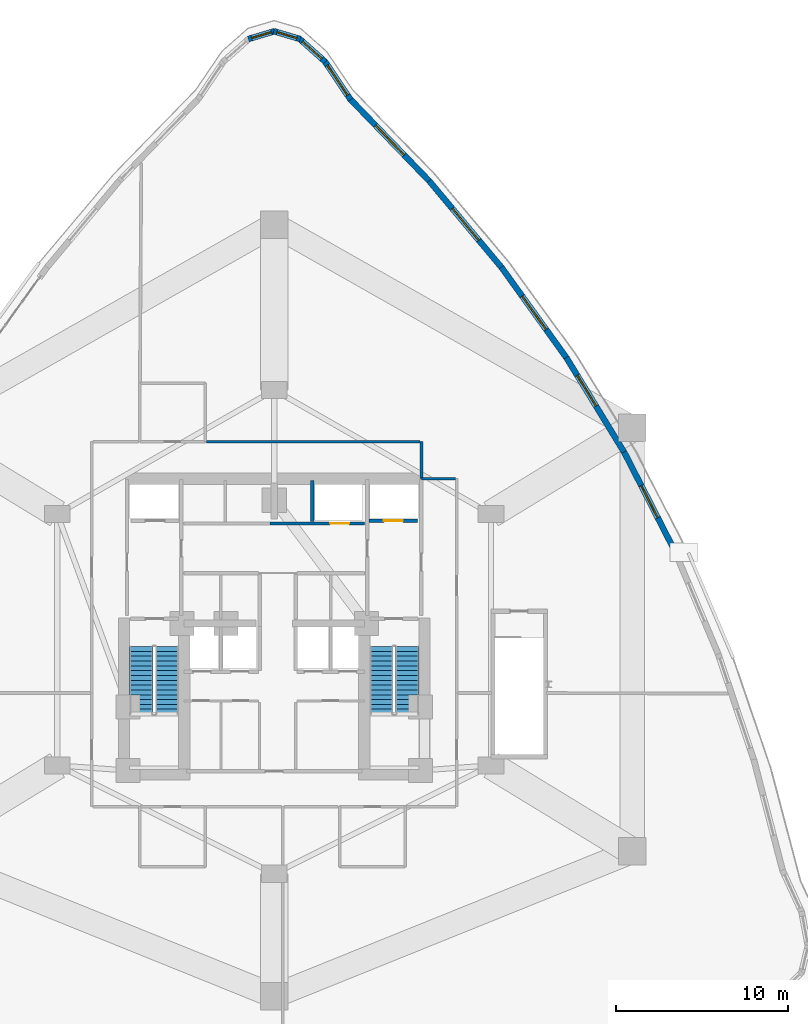
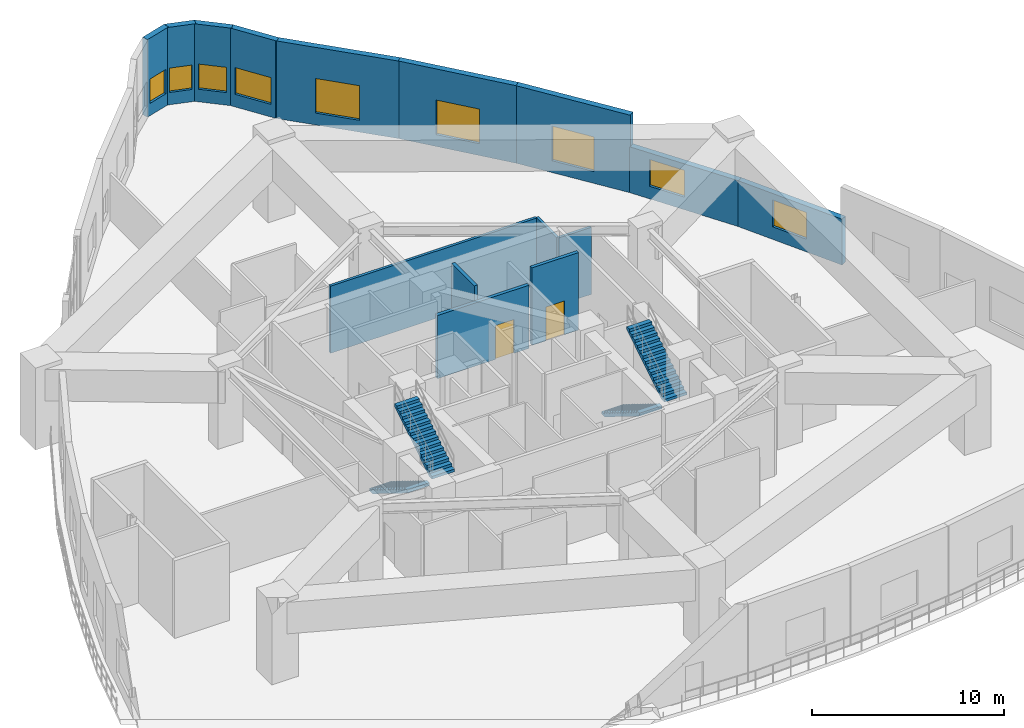
# One storey, part 15 of 19: 15 walls, 9 windows, 4 stair flights, 2 doors, 11 openings, 2 elements without a shape of their own.
"""IFC4 building model written with IfcOpenShell, lengths in metres."""

from ifc_helpers import new_model, si_unit, direction, frame, frame_2d, origin, place, context, subcontext, project, spatial, polyline, rectangle, outline, extrude, material, layer, layer_set, type_object, element, fill, aggregate, save


model = new_model("IFC4")

# Units and contexts
model_context = context("Model", 3, precision=1e-05, world=origin(), true_north=direction((0.0, 1.0)))
body_context = subcontext(model_context, "Body", "Model", "MODEL_VIEW")
ifc_project = project(units=[si_unit("LENGTHUNIT", "METRE"), si_unit("AREAUNIT", "SQUARE_METRE"), si_unit("VOLUMEUNIT", "CUBIC_METRE"), si_unit("PLANEANGLEUNIT", "RADIAN"), si_unit("MASSUNIT", "GRAM", prefix="KILO")], contexts=[model_context])

# Site, building, storey
site_placement = place(None, origin())
site = spatial("IfcSite", under=ifc_project, at=site_placement, CompositionType="ELEMENT")
building_placement = place(site_placement, origin())
building = spatial("IfcBuilding", under=site, at=building_placement, Name="Miruveldt Soraemaru", CompositionType="ELEMENT")
storey_placement = place(building_placement, frame((0.0, 0.0, 24.0)))
storey = spatial("IfcBuildingStorey", under=building, at=storey_placement, Name="L06", CompositionType="ELEMENT", Elevation=24.0)

# Wall, opening, window
ifc_material_1 = material(Name="Precast concrete C45/55 (45 MPa)", Category="concrete")
ifc_layer_1 = layer(ifc_material_1, 0.340087890625, Name="Precast concrete C45/55 (45 MPa)", Category="concrete")
ifc_layer_set_1 = layer_set([ifc_layer_1], Name="Precast concrete C45/55 (45 MPa)")
wall_type_1 = type_object("IfcWallType", Name="WALL-EXT-PC340", PredefinedType="SOLIDWALL", material=ifc_layer_set_1)
wall_1_placement = place(storey_placement, frame((48.432861328125, 74.4736328125, 0.0), z_axis=(0.0, 0.0, 1.0), x_axis=(-0.55815184542, 0.829738824844, 0.0)))
wall_1 = element("IfcWall", 1, at=wall_1_placement, inside=storey, type_object=wall_type_1, Name="L06 Precast Concrete Facade Wall 1", PredefinedType="SOLIDWALL", context=body_context, shape_type="SweptSolid", body=[
    extrude(rectangle(XDim=2.705810546875, YDim=0.340087890625, at=frame_2d((1.35302734375, 0.0))), origin(), (0.0, 0.0, 1.0), 4.925048828125),
])
opening_1_placement = place(wall_1_placement, frame((0.302978515625, 0.0, 0.800048828125)))
opening_1 = element("IfcOpeningElement", 2, at=opening_1_placement, cuts=wall_1, Name="Opening WN-1", PredefinedType="OPENING", context=body_context, shape_type="SweptSolid", body=[
    extrude(rectangle(XDim=2.10009765625, YDim=1.699951171875, at=frame_2d((1.050048828125, 0.85009765625))), frame((0.0, 0.18017578125, 0.0), z_axis=(0.0, -1.0, 0.0), x_axis=(1.0, 0.0, 0.0)), (0.0, 0.0, 1.0), 0.360107421875),
])
ifc_material_2 = material(Name="Triple low-e insulated glazing", Category="glass")
window_type_1 = type_object("IfcWindowType", Name="WIN-PUNCH-2100x1700", PartitioningType="SINGLE_PANEL", PredefinedType="WINDOW", material=ifc_material_2)
window_1_placement = place(opening_1_placement, origin())
window_1 = element("IfcWindow", 3, at=window_1_placement, inside=storey, type_object=window_type_1, Name="L06 Punched Triple-Glazed Window 01.1", OverallHeight=1.699951171875, OverallWidth=2.10009765625, PartitioningType="SINGLE_PANEL", PredefinedType="WINDOW", context=body_context, shape_type="SweptSolid", body=[
    extrude(rectangle(XDim=2.10009765625, YDim=1.699951171875, at=frame_2d((1.050048828125, 0.85009765625))), frame((0.0, 0.030029296875, 0.0), z_axis=(0.0, -1.0, 0.0), x_axis=(1.0, 0.0, 0.0)), (0.0, 0.0, 1.0), 0.06005859375),
])
fill(opening_1, window_1)

wall_2_placement = place(storey_placement, frame((46.96826171875, 76.66650390625, 0.0), z_axis=(0.0, 0.0, 1.0), x_axis=(-0.746266528061, 0.665647255756, 0.0)))
wall_2 = element("IfcWall", 4, at=wall_2_placement, inside=storey, type_object=wall_type_1, Name="L06 Precast Concrete Facade Wall 2", PredefinedType="SOLIDWALL", context=body_context, shape_type="SweptSolid", body=[
    extrude(rectangle(XDim=2.041015625, YDim=0.340087890625, at=frame_2d((1.0205078125, 0.0))), origin(), (0.0, 0.0, 1.0), 4.925048828125),
])
opening_2_placement = place(wall_2_placement, frame((0.27001953125, 0.0, 0.800048828125)))
opening_2 = element("IfcOpeningElement", 5, at=opening_2_placement, cuts=wall_2, Name="Opening WN-3", PredefinedType="OPENING", context=body_context, shape_type="SweptSolid", body=[
    extrude(rectangle(XDim=1.5, YDim=1.60009765625, at=frame_2d((0.75, 0.800048828125))), frame((0.0, 0.18017578125, 0.0), z_axis=(0.0, -1.0, 0.0), x_axis=(1.0, 0.0, 0.0)), (0.0, 0.0, 1.0), 0.360107421875),
])
window_type_2 = type_object("IfcWindowType", Name="WIN-PUNCH-1500x1600", PartitioningType="SINGLE_PANEL", PredefinedType="WINDOW", material=ifc_material_2)
window_2_placement = place(opening_2_placement, origin())
window_2 = element("IfcWindow", 6, at=window_2_placement, inside=storey, type_object=window_type_2, Name="L06 Punched Triple-Glazed Window 02.1", OverallHeight=1.60009765625, OverallWidth=1.5, PartitioningType="SINGLE_PANEL", PredefinedType="WINDOW", context=body_context, shape_type="SweptSolid", body=[
    extrude(rectangle(XDim=1.5, YDim=1.60009765625, at=frame_2d((0.75, 0.800048828125))), frame((0.0, 0.030029296875, 0.0), z_axis=(0.0, -1.0, 0.0), x_axis=(1.0, 0.0, 0.0)), (0.0, 0.0, 1.0), 0.06005859375),
])
fill(opening_2, window_2)

wall_3_placement = place(storey_placement, frame((45.504638671875, 77.991943359375, 0.0), z_axis=(0.0, 0.0, 1.0), x_axis=(-0.958535233028, 0.284974046264, 0.0)))
wall_3 = element("IfcWall", 7, at=wall_3_placement, inside=storey, type_object=wall_type_1, Name="L06 Precast Concrete Facade Wall 3", PredefinedType="SOLIDWALL", context=body_context, shape_type="SweptSolid", body=[
    extrude(rectangle(XDim=1.604736328125, YDim=0.340087890625, at=frame_2d((0.80224609375, 0.0))), origin(), (0.0, 0.0, 1.0), 4.925048828125),
])
opening_3_placement = place(wall_3_placement, frame((0.202880859375, 0.0, 0.780029296875)))
opening_3 = element("IfcOpeningElement", 8, at=opening_3_placement, cuts=wall_3, Name="Opening WN-4", PredefinedType="OPENING", context=body_context, shape_type="SweptSolid", body=[
    extrude(rectangle(XDim=1.199951171875, YDim=1.550048828125, at=frame_2d((0.60009765625, 0.77490234375))), frame((0.0, 0.18017578125, 0.0), z_axis=(0.0, -1.0, 0.0), x_axis=(1.0, 0.0, 0.0)), (0.0, 0.0, 1.0), 0.360107421875),
])
window_type_3 = type_object("IfcWindowType", Name="WIN-PUNCH-1200x1550", PartitioningType="SINGLE_PANEL", PredefinedType="WINDOW", material=ifc_material_2)
window_3_placement = place(opening_3_placement, origin())
window_3 = element("IfcWindow", 9, at=window_3_placement, inside=storey, type_object=window_type_3, Name="L06 Punched Triple-Glazed Window 03.1", OverallHeight=1.550048828125, OverallWidth=1.199951171875, PartitioningType="SINGLE_PANEL", PredefinedType="WINDOW", context=body_context, shape_type="SweptSolid", body=[
    extrude(rectangle(XDim=1.199951171875, YDim=1.550048828125, at=frame_2d((0.60009765625, 0.77490234375))), frame((0.0, 0.030029296875, 0.0), z_axis=(0.0, -1.0, 0.0), x_axis=(1.0, 0.0, 0.0)), (0.0, 0.0, 1.0), 0.06005859375),
])
fill(opening_3, window_3)

wall_4_placement = place(storey_placement, frame((44.033447265625, 78.44921875, 0.0), z_axis=(0.0, 0.0, 1.0), x_axis=(-0.958535233028, -0.284974046264, 0.0)))
wall_4 = element("IfcWall", 10, at=wall_4_placement, inside=storey, type_object=wall_type_1, Name="L06 Precast Concrete Facade Wall 4", PredefinedType="SOLIDWALL", context=body_context, shape_type="SweptSolid", body=[
    extrude(rectangle(XDim=1.604736328125, YDim=0.340087890625, at=frame_2d((0.80224609375, 0.0))), origin(), (0.0, 0.0, 1.0), 4.925048828125),
])
opening_4_placement = place(wall_4_placement, frame((0.202880859375, 0.0, 0.780029296875)))
opening_4 = element("IfcOpeningElement", 11, at=opening_4_placement, cuts=wall_4, Name="Opening WN-4", PredefinedType="OPENING", context=body_context, shape_type="SweptSolid", body=[
    extrude(rectangle(XDim=1.199951171875, YDim=1.550048828125, at=frame_2d((0.60009765625, 0.77490234375))), frame((0.0, 0.18017578125, 0.0), z_axis=(0.0, -1.0, 0.0), x_axis=(1.0, 0.0, 0.0)), (0.0, 0.0, 1.0), 0.360107421875),
])
window_4_placement = place(opening_4_placement, origin())
window_4 = element("IfcWindow", 12, at=window_4_placement, inside=storey, type_object=window_type_3, Name="L06 Punched Triple-Glazed Window 04.1", OverallHeight=1.550048828125, OverallWidth=1.199951171875, PartitioningType="SINGLE_PANEL", PredefinedType="WINDOW", context=body_context, shape_type="SweptSolid", body=[
    extrude(rectangle(XDim=1.199951171875, YDim=1.550048828125, at=frame_2d((0.60009765625, 0.77490234375))), frame((0.0, 0.030029296875, 0.0), z_axis=(0.0, -1.0, 0.0), x_axis=(1.0, 0.0, 0.0)), (0.0, 0.0, 1.0), 0.06005859375),
])
fill(opening_4, window_4)

wall_5_placement = place(storey_placement, frame((67.281494140625, 48.22705078125, 0.0), z_axis=(0.0, 0.0, 1.0), x_axis=(-0.455940488826, 0.89001026435, 0.0)))
wall_5 = element("IfcWall", 13, at=wall_5_placement, inside=storey, type_object=wall_type_1, Name="L06 Precast Concrete Facade Wall 38", PredefinedType="SOLIDWALL", context=body_context, shape_type="SweptSolid", body=[
    extrude(rectangle(XDim=6.496826171875, YDim=0.340087890625, at=frame_2d((3.24853515625, 0.0))), origin(), (0.0, 0.0, 1.0), 2.9130859375),
])
opening_5_placement = place(wall_5_placement, frame((2.198974609375, 0.0, 0.800048828125)))
opening_5 = element("IfcOpeningElement", 14, at=opening_5_placement, cuts=wall_5, Name="Opening WN-1", PredefinedType="OPENING", context=body_context, shape_type="SweptSolid", body=[
    extrude(rectangle(XDim=2.10009765625, YDim=1.699951171875, at=frame_2d((1.050048828125, 0.85009765625))), frame((0.0, 0.18017578125, 0.0), z_axis=(0.0, -1.0, 0.0), x_axis=(1.0, 0.0, 0.0)), (0.0, 0.0, 1.0), 0.360107421875),
])
window_5_placement = place(opening_5_placement, origin())
window_5 = element("IfcWindow", 15, at=window_5_placement, inside=storey, type_object=window_type_1, Name="L06 Punched Triple-Glazed Window 38.1", OverallHeight=1.699951171875, OverallWidth=2.10009765625, PartitioningType="SINGLE_PANEL", PredefinedType="WINDOW", context=body_context, shape_type="SweptSolid", body=[
    extrude(rectangle(XDim=2.10009765625, YDim=1.699951171875, at=frame_2d((1.050048828125, 0.85009765625))), frame((0.0, 0.030029296875, 0.0), z_axis=(0.0, -1.0, 0.0), x_axis=(1.0, 0.0, 0.0)), (0.0, 0.0, 1.0), 0.06005859375),
])
fill(opening_5, window_5)

wall_6_placement = place(storey_placement, frame((64.353515625, 53.9482421875, 0.0), z_axis=(0.0, 0.0, 1.0), x_axis=(-0.52129343632, 0.853377497506, 0.0)))
wall_6 = element("IfcWall", 16, at=wall_6_placement, inside=storey, type_object=wall_type_1, Name="L06 Precast Concrete Facade Wall 39", PredefinedType="SOLIDWALL", context=body_context, shape_type="SweptSolid", body=[
    extrude(rectangle(XDim=6.496826171875, YDim=0.340087890625, at=frame_2d((3.24853515625, 0.0))), origin(), (0.0, 0.0, 1.0), 2.9130859375),
])
opening_6_placement = place(wall_6_placement, frame((3.18701171875, 0.0, 0.800048828125)))
opening_6 = element("IfcOpeningElement", 17, at=opening_6_placement, cuts=wall_6, Name="Opening WN-1", PredefinedType="OPENING", context=body_context, shape_type="SweptSolid", body=[
    extrude(rectangle(XDim=2.10009765625, YDim=1.699951171875, at=frame_2d((1.050048828125, 0.85009765625))), frame((0.0, 0.18017578125, 0.0), z_axis=(0.0, -1.0, 0.0), x_axis=(1.0, 0.0, 0.0)), (0.0, 0.0, 1.0), 0.360107421875),
])
window_6_placement = place(opening_6_placement, origin())
window_6 = element("IfcWindow", 18, at=window_6_placement, inside=storey, type_object=window_type_1, Name="L06 Punched Triple-Glazed Window 39.1", OverallHeight=1.699951171875, OverallWidth=2.10009765625, PartitioningType="SINGLE_PANEL", PredefinedType="WINDOW", context=body_context, shape_type="SweptSolid", body=[
    extrude(rectangle(XDim=2.10009765625, YDim=1.699951171875, at=frame_2d((1.050048828125, 0.85009765625))), frame((0.0, 0.030029296875, 0.0), z_axis=(0.0, -1.0, 0.0), x_axis=(1.0, 0.0, 0.0)), (0.0, 0.0, 1.0), 0.06005859375),
])
fill(opening_6, window_6)

wall_7_placement = place(storey_placement, frame((61.005615234375, 59.43408203125, 0.0), z_axis=(0.0, 0.0, 1.0), x_axis=(-0.583417328657, 0.812172531315, 0.0)))
wall_7 = element("IfcWall", 19, at=wall_7_placement, inside=storey, type_object=wall_type_1, Name="L06 Precast Concrete Facade Wall 40", PredefinedType="SOLIDWALL", context=body_context, shape_type="SweptSolid", body=[
    extrude(rectangle(XDim=6.53271484375, YDim=0.340087890625, at=frame_2d((3.266357421875, 0.0))), origin(), (0.0, 0.0, 1.0), 4.925048828125),
])
opening_7_placement = place(wall_7_placement, frame((2.06591796875, 0.0, 0.75)))
opening_7 = element("IfcOpeningElement", 20, at=opening_7_placement, cuts=wall_7, Name="Opening WN-5", PredefinedType="OPENING", context=body_context, shape_type="SweptSolid", body=[
    extrude(rectangle(XDim=2.39990234375, YDim=2.199951171875, at=frame_2d((1.199951171875, 1.10009765625))), frame((0.0, 0.18017578125, 0.0), z_axis=(0.0, -1.0, 0.0), x_axis=(1.0, 0.0, 0.0)), (0.0, 0.0, 1.0), 0.360107421875),
])
window_type_4 = type_object("IfcWindowType", Name="WIN-PODM-2400x2200", PartitioningType="SINGLE_PANEL", PredefinedType="WINDOW", material=ifc_material_2)
window_7_placement = place(opening_7_placement, origin())
window_7 = element("IfcWindow", 21, at=window_7_placement, inside=storey, type_object=window_type_4, Name="L06 Punched Triple-Glazed Window 40.1", OverallHeight=2.199951171875, OverallWidth=2.39990234375, PartitioningType="SINGLE_PANEL", PredefinedType="WINDOW", context=body_context, shape_type="SweptSolid", body=[
    extrude(rectangle(XDim=2.39990234375, YDim=2.199951171875, at=frame_2d((1.199951171875, 1.10009765625))), frame((0.0, 0.030029296875, 0.0), z_axis=(0.0, -1.0, 0.0), x_axis=(1.0, 0.0, 0.0)), (0.0, 0.0, 1.0), 0.06005859375),
])
fill(opening_7, window_7)

wall_8_placement = place(storey_placement, frame((57.237060546875, 64.6845703125, 0.0), z_axis=(0.0, 0.0, 1.0), x_axis=(-0.641321828383, 0.76727199378, 0.0)))
wall_8 = element("IfcWall", 22, at=wall_8_placement, inside=storey, type_object=wall_type_1, Name="L06 Precast Concrete Facade Wall 41", PredefinedType="SOLIDWALL", context=body_context, shape_type="SweptSolid", body=[
    extrude(rectangle(XDim=6.60400390625, YDim=0.340087890625, at=frame_2d((3.302001953125, 0.0))), origin(), (0.0, 0.0, 1.0), 4.925048828125),
])
opening_8_placement = place(wall_8_placement, frame((2.10205078125, 0.0, 0.75)))
opening_8 = element("IfcOpeningElement", 23, at=opening_8_placement, cuts=wall_8, Name="Opening WN-5", PredefinedType="OPENING", context=body_context, shape_type="SweptSolid", body=[
    extrude(rectangle(XDim=2.39990234375, YDim=2.199951171875, at=frame_2d((1.199951171875, 1.10009765625))), frame((0.0, 0.18017578125, 0.0), z_axis=(0.0, -1.0, 0.0), x_axis=(1.0, 0.0, 0.0)), (0.0, 0.0, 1.0), 0.360107421875),
])
window_8_placement = place(opening_8_placement, origin())
window_8 = element("IfcWindow", 24, at=window_8_placement, inside=storey, type_object=window_type_4, Name="L06 Punched Triple-Glazed Window 41.1", OverallHeight=2.199951171875, OverallWidth=2.39990234375, PartitioningType="SINGLE_PANEL", PredefinedType="WINDOW", context=body_context, shape_type="SweptSolid", body=[
    extrude(rectangle(XDim=2.39990234375, YDim=2.199951171875, at=frame_2d((1.199951171875, 1.10009765625))), frame((0.0, 0.030029296875, 0.0), z_axis=(0.0, -1.0, 0.0), x_axis=(1.0, 0.0, 0.0)), (0.0, 0.0, 1.0), 0.06005859375),
])
fill(opening_8, window_8)

wall_9_placement = place(storey_placement, frame((53.04833984375, 69.69970703125, 0.0), z_axis=(0.0, 0.0, 1.0), x_axis=(-0.694423715799, 0.719566329769, 0.0)))
wall_9 = element("IfcWall", 25, at=wall_9_placement, inside=storey, type_object=wall_type_1, Name="L06 Precast Concrete Facade Wall 42", PredefinedType="SOLIDWALL", context=body_context, shape_type="SweptSolid", body=[
    extrude(rectangle(XDim=6.709716796875, YDim=0.340087890625, at=frame_2d((3.35498046875, 0.0))), origin(), (0.0, 0.0, 1.0), 4.925048828125),
])
opening_9_placement = place(wall_9_placement, frame((2.155029296875, 0.0, 0.75)))
opening_9 = element("IfcOpeningElement", 26, at=opening_9_placement, cuts=wall_9, Name="Opening WN-5", PredefinedType="OPENING", context=body_context, shape_type="SweptSolid", body=[
    extrude(rectangle(XDim=2.39990234375, YDim=2.199951171875, at=frame_2d((1.199951171875, 1.10009765625))), frame((0.0, 0.18017578125, 0.0), z_axis=(0.0, -1.0, 0.0), x_axis=(1.0, 0.0, 0.0)), (0.0, 0.0, 1.0), 0.360107421875),
])
window_9_placement = place(opening_9_placement, origin())
window_9 = element("IfcWindow", 27, at=window_9_placement, inside=storey, type_object=window_type_4, Name="L06 Punched Triple-Glazed Window 42.1", OverallHeight=2.199951171875, OverallWidth=2.39990234375, PartitioningType="SINGLE_PANEL", PredefinedType="WINDOW", context=body_context, shape_type="SweptSolid", body=[
    extrude(rectangle(XDim=2.39990234375, YDim=2.199951171875, at=frame_2d((1.199951171875, 1.10009765625))), frame((0.0, 0.030029296875, 0.0), z_axis=(0.0, -1.0, 0.0), x_axis=(1.0, 0.0, 0.0)), (0.0, 0.0, 1.0), 0.06005859375),
])
fill(opening_9, window_9)

# Walls
ifc_material_3 = material(Name="Concrete C40/50 (40 MPa)", Category="concrete")
ifc_layer_2 = layer(ifc_material_3, 0.159912109375, Name="Concrete C40/50 (40 MPa)", Category="concrete")
ifc_layer_set_2 = layer_set([ifc_layer_2], Name="Concrete C40/50 (40 MPa)")
wall_type_2 = type_object("IfcWallType", Name="WALL-INT-RC160", PredefinedType="SOLIDWALL", material=ifc_layer_set_2)
wall_10_placement = place(storey_placement, frame((52.469970703125, 54.60009765625, 0.0), z_axis=(0.0, 0.0, 1.0), x_axis=(-1.0, 0.0, 0.0)))
element("IfcWall", 28, at=wall_10_placement, inside=storey, type_object=wall_type_2, Name="L06 Partition Wall 15", PredefinedType="SOLIDWALL", context=body_context, shape_type="SweptSolid", body=[
    extrude(rectangle(XDim=12.389892578125, YDim=0.159912109375, at=frame_2d((6.19482421875, 0.0))), origin(), (0.0, 0.0, 1.0), 4.262939453125),
])
wall_11_placement = place(storey_placement, frame((52.550048828125, 52.449951171875, 0.0), z_axis=(0.0, 0.0, 1.0), x_axis=(0.0, 1.0, 0.0)))
element("IfcWall", 29, at=wall_11_placement, inside=storey, type_object=wall_type_2, Name="L06 Partition Wall 14", PredefinedType="SOLIDWALL", context=body_context, shape_type="SweptSolid", body=[
    extrude(rectangle(XDim=2.150146484375, YDim=0.159912109375, at=frame_2d((1.0751953125, 0.0))), origin(), (0.0, 0.0, 1.0), 4.262939453125),
])
wall_12_placement = place(storey_placement, frame((54.52001953125, 52.449951171875, 0.0), z_axis=(0.0, 0.0, 1.0), x_axis=(-1.0, 0.0, 0.0)))
element("IfcWall", 30, at=wall_12_placement, inside=storey, type_object=wall_type_2, Name="L06 Partition Wall 13", PredefinedType="SOLIDWALL", context=body_context, shape_type="SweptSolid", body=[
    extrude(rectangle(XDim=1.969970703125, YDim=0.159912109375, at=frame_2d((0.98486328125, 0.0))), origin(), (0.0, 0.0, 1.0), 4.262939453125),
])

# Wall, opening, door
ifc_layer_3 = layer(ifc_material_3, 0.199951171875, Name="Concrete C40/50 (40 MPa)", Category="concrete")
ifc_layer_set_3 = layer_set([ifc_layer_3], Name="Concrete C40/50 (40 MPa)")
wall_type_3 = type_object("IfcWallType", Name="WALL-INT-RC200", PredefinedType="SOLIDWALL", material=ifc_layer_set_3)
wall_13_placement = place(storey_placement, frame((43.75, 49.85009765625, 0.0), z_axis=(0.0, 0.0, 1.0), x_axis=(1.0, 0.0, 0.0)))
wall_13 = element("IfcWall", 31, at=wall_13_placement, inside=storey, type_object=wall_type_3, Name="L06 Core Compartment Wall ROWA-SE", PredefinedType="SOLIDWALL", context=body_context, shape_type="SweptSolid", body=[
    extrude(rectangle(XDim=5.5, YDim=0.199951171875, at=frame_2d((2.75, 0.0))), origin(), (0.0, 0.0, 1.0), 4.012939453125),
])
opening_10_placement = place(wall_13_placement, frame((3.5, 0.0, 0.0)))
opening_10 = element("IfcOpeningElement", 32, at=opening_10_placement, cuts=wall_13, Name="Opening LD2", PredefinedType="OPENING", context=body_context, shape_type="SweptSolid", body=[
    extrude(rectangle(XDim=1.10009765625, YDim=2.14990234375, at=frame_2d((0.550048828125, 1.074951171875))), frame((0.0, 0.10986328125, 0.0), z_axis=(0.0, -1.0, 0.0), x_axis=(1.0, 0.0, 0.0)), (0.0, 0.0, 1.0), 0.219970703125),
])
ifc_material_4 = material(Name="Anodised aluminium EN AW-6063 T6", Category="aluminium")
door_type = type_object("IfcDoorType", Name="DOOR-LD2-1100", OperationType="SLIDING_TO_LEFT", PredefinedType="DOOR", material=ifc_material_4)
door_1_placement = place(opening_10_placement, origin())
door_1 = element("IfcDoor", 33, at=door_1_placement, inside=storey, type_object=door_type, Name="L06 SL-1 Landing Door", OperationType="SLIDING_TO_LEFT", OverallHeight=2.14990234375, OverallWidth=1.10009765625, PredefinedType="DOOR", context=body_context, shape_type="SweptSolid", body=[
    extrude(rectangle(XDim=1.10009765625, YDim=2.14990234375, at=frame_2d((0.550048828125, 1.074951171875))), frame((0.0, 0.02490234375, 0.0), z_axis=(0.0, -1.0, 0.0), x_axis=(1.0, 0.0, 0.0)), (0.0, 0.0, 1.0), 0.050048828125),
])
fill(opening_10, door_1)

wall_14_placement = place(storey_placement, frame((49.52001953125, 50.0, 0.0), z_axis=(0.0, 0.0, 1.0), x_axis=(1.0, 0.0, 0.0)))
wall_14 = element("IfcWall", 34, at=wall_14_placement, inside=storey, type_object=wall_type_3, Name="L06 Core Compartment Wall FFL2-S", PredefinedType="SOLIDWALL", context=body_context, shape_type="SweptSolid", body=[
    extrude(rectangle(XDim=2.800048828125, YDim=0.199951171875, at=frame_2d((1.39990234375, 0.0))), origin(), (0.0, 0.0, 1.0), 4.925048828125),
])
opening_11_placement = place(wall_14_placement, frame((0.85009765625, 0.0, 0.0)))
opening_11 = element("IfcOpeningElement", 35, at=opening_11_placement, cuts=wall_14, Name="Opening LD2", PredefinedType="OPENING", context=body_context, shape_type="SweptSolid", body=[
    extrude(rectangle(XDim=1.10009765625, YDim=2.14990234375, at=frame_2d((0.550048828125, 1.074951171875))), frame((0.0, 0.10986328125, 0.0), z_axis=(0.0, -1.0, 0.0), x_axis=(1.0, 0.0, 0.0)), (0.0, 0.0, 1.0), 0.219970703125),
])
door_2_placement = place(opening_11_placement, origin())
door_2 = element("IfcDoor", 36, at=door_2_placement, inside=storey, type_object=door_type, Name="L06 FFL-2 Landing Door", OperationType="SLIDING_TO_LEFT", OverallHeight=2.14990234375, OverallWidth=1.10009765625, PredefinedType="DOOR", context=body_context, shape_type="SweptSolid", body=[
    extrude(rectangle(XDim=1.10009765625, YDim=2.14990234375, at=frame_2d((0.550048828125, 1.074951171875))), frame((0.0, 0.02490234375, 0.0), z_axis=(0.0, -1.0, 0.0), x_axis=(1.0, 0.0, 0.0)), (0.0, 0.0, 1.0), 0.050048828125),
])
fill(opening_11, door_2)

# Wall
wall_15_placement = place(storey_placement, frame((46.199951171875, 49.97998046875, 0.0), z_axis=(0.0, 0.0, 1.0), x_axis=(0.0, 1.0, 0.0)))
element("IfcWall", 37, at=wall_15_placement, inside=storey, type_object=wall_type_3, Name="L06 Core Compartment Wall PLH-SL-DIV", PredefinedType="SOLIDWALL", context=body_context, shape_type="SweptSolid", body=[
    extrude(rectangle(XDim=2.3701171875, YDim=0.199951171875, at=frame_2d((1.18505859375, 0.0))), origin(), (0.0, 0.0, 1.0), 4.925048828125),
])

# Stair, stair flights
stair_type = type_object("IfcStairType", Name="STAIR-DL-520", PredefinedType="HALF_TURN_STAIR", material=ifc_material_3)
stair_1_placement = place(storey_placement, origin())
stair_1 = element("IfcStair", 38, at=stair_1_placement, inside=storey, type_object=stair_type, Name="L06 Protected Exit Stair ST-1", PredefinedType="HALF_TURN_STAIR")
stair_flight_type = type_object("IfcStairFlightType", Name="SFL-DL-520", PredefinedType="STRAIGHT", material=ifc_material_3)
stair_flight_1_placement = place(storey_placement, frame((36.27490234375, 42.699951171875, 0.0), z_axis=(0.0, 0.0, 1.0), x_axis=(0.0, -1.0, 0.0)))
stair_flight_1 = element("IfcStairFlight", 39, at=stair_flight_1_placement, type_object=stair_flight_type, Name="ST-1 flight 1", NumberOfRisers=15, NumberOfTreads=14, PredefinedType="STRAIGHT", RiserHeight=0.173333333, TreadLength=0.28, context=body_context, shape_type="SweptSolid", body=[
    extrude(outline(polyline([(0.0, 0.0), (0.0, 0.17333984375), (0.280029296875, 0.17333984375), (0.280029296875, 0.3466796875), (0.56005859375, 0.3466796875), (0.56005859375, 0.52001953125), (0.840087890625, 0.52001953125), (0.840087890625, 0.693359375), (1.1201171875, 0.693359375), (1.1201171875, 0.86669921875), (1.39990234375, 0.86669921875), (1.39990234375, 1.0400390625), (1.679931640625, 1.0400390625), (1.679931640625, 1.21337890625), (1.9599609375, 1.21337890625), (1.9599609375, 1.38671875), (2.239990234375, 1.38671875), (2.239990234375, 1.56005859375), (2.52001953125, 1.56005859375), (2.52001953125, 1.7333984375), (2.800048828125, 1.7333984375), (2.800048828125, 1.90673828125), (3.080078125, 1.90673828125), (3.080078125, 2.080078125), (3.360107421875, 2.080078125), (3.360107421875, 2.25341796875), (3.639892578125, 2.25341796875), (3.639892578125, 2.4267578125), (3.919921875, 2.4267578125), (3.919921875, 2.60009765625), (3.919921875, 2.238525390625), (0.3037109375, 0.0), (0.0, 0.0)])), frame((0.0, 0.675048828125, 0.0), z_axis=(0.0, -1.0, 0.0), x_axis=(1.0, 0.0, 0.0)), (0.0, 0.0, 1.0), 1.35009765625),
])
stair_flight_2_placement = place(storey_placement, frame((37.77490234375, 38.780029296875, 2.60009765625), z_axis=(0.0, 0.0, 1.0), x_axis=(0.0, 1.0, 0.0)))
stair_flight_2 = element("IfcStairFlight", 40, at=stair_flight_2_placement, type_object=stair_flight_type, Name="ST-1 flight 2", NumberOfRisers=15, NumberOfTreads=14, PredefinedType="STRAIGHT", RiserHeight=0.173333333, TreadLength=0.28, context=body_context, shape_type="SweptSolid", body=[
    extrude(outline(polyline([(0.0, 0.0), (0.0, 0.17333984375), (0.280029296875, 0.17333984375), (0.280029296875, 0.3466796875), (0.56005859375, 0.3466796875), (0.56005859375, 0.52001953125), (0.840087890625, 0.52001953125), (0.840087890625, 0.693359375), (1.1201171875, 0.693359375), (1.1201171875, 0.86669921875), (1.39990234375, 0.86669921875), (1.39990234375, 1.0400390625), (1.679931640625, 1.0400390625), (1.679931640625, 1.21337890625), (1.9599609375, 1.21337890625), (1.9599609375, 1.38671875), (2.239990234375, 1.38671875), (2.239990234375, 1.56005859375), (2.52001953125, 1.56005859375), (2.52001953125, 1.7333984375), (2.800048828125, 1.7333984375), (2.800048828125, 1.90673828125), (3.080078125, 1.90673828125), (3.080078125, 2.080078125), (3.360107421875, 2.080078125), (3.360107421875, 2.25341796875), (3.639892578125, 2.25341796875), (3.639892578125, 2.4267578125), (3.919921875, 2.4267578125), (3.919921875, 2.60009765625), (3.919921875, 2.238525390625), (0.3037109375, 0.0), (0.0, 0.0)])), frame((0.0, 0.675048828125, 0.0), z_axis=(0.0, -1.0, 0.0), x_axis=(1.0, 0.0, 0.0)), (0.0, 0.0, 1.0), 1.35009765625),
])
aggregate(stair_1, [stair_flight_1, stair_flight_2])

stair_2_placement = place(storey_placement, origin())
stair_2 = element("IfcStair", 41, at=stair_2_placement, inside=storey, type_object=stair_type, Name="L06 Protected Exit Stair ST-2", PredefinedType="HALF_TURN_STAIR")
stair_flight_3_placement = place(storey_placement, frame((50.22509765625, 42.699951171875, 0.0), z_axis=(0.0, 0.0, 1.0), x_axis=(0.0, -1.0, 0.0)))
stair_flight_3 = element("IfcStairFlight", 42, at=stair_flight_3_placement, type_object=stair_flight_type, Name="ST-2 flight 1", NumberOfRisers=15, NumberOfTreads=14, PredefinedType="STRAIGHT", RiserHeight=0.173333333, TreadLength=0.28, context=body_context, shape_type="SweptSolid", body=[
    extrude(outline(polyline([(0.0, 0.0), (0.0, 0.17333984375), (0.280029296875, 0.17333984375), (0.280029296875, 0.3466796875), (0.56005859375, 0.3466796875), (0.56005859375, 0.52001953125), (0.840087890625, 0.52001953125), (0.840087890625, 0.693359375), (1.1201171875, 0.693359375), (1.1201171875, 0.86669921875), (1.39990234375, 0.86669921875), (1.39990234375, 1.0400390625), (1.679931640625, 1.0400390625), (1.679931640625, 1.21337890625), (1.9599609375, 1.21337890625), (1.9599609375, 1.38671875), (2.239990234375, 1.38671875), (2.239990234375, 1.56005859375), (2.52001953125, 1.56005859375), (2.52001953125, 1.7333984375), (2.800048828125, 1.7333984375), (2.800048828125, 1.90673828125), (3.080078125, 1.90673828125), (3.080078125, 2.080078125), (3.360107421875, 2.080078125), (3.360107421875, 2.25341796875), (3.639892578125, 2.25341796875), (3.639892578125, 2.4267578125), (3.919921875, 2.4267578125), (3.919921875, 2.60009765625), (3.919921875, 2.238525390625), (0.3037109375, 0.0), (0.0, 0.0)])), frame((0.0, 0.675048828125, 0.0), z_axis=(0.0, -1.0, 0.0), x_axis=(1.0, 0.0, 0.0)), (0.0, 0.0, 1.0), 1.35009765625),
])
stair_flight_4_placement = place(storey_placement, frame((51.72509765625, 38.780029296875, 2.60009765625), z_axis=(0.0, 0.0, 1.0), x_axis=(0.0, 1.0, 0.0)))
stair_flight_4 = element("IfcStairFlight", 43, at=stair_flight_4_placement, type_object=stair_flight_type, Name="ST-2 flight 2", NumberOfRisers=15, NumberOfTreads=14, PredefinedType="STRAIGHT", RiserHeight=0.173333333, TreadLength=0.28, context=body_context, shape_type="SweptSolid", body=[
    extrude(outline(polyline([(0.0, 0.0), (0.0, 0.17333984375), (0.280029296875, 0.17333984375), (0.280029296875, 0.3466796875), (0.56005859375, 0.3466796875), (0.56005859375, 0.52001953125), (0.840087890625, 0.52001953125), (0.840087890625, 0.693359375), (1.1201171875, 0.693359375), (1.1201171875, 0.86669921875), (1.39990234375, 0.86669921875), (1.39990234375, 1.0400390625), (1.679931640625, 1.0400390625), (1.679931640625, 1.21337890625), (1.9599609375, 1.21337890625), (1.9599609375, 1.38671875), (2.239990234375, 1.38671875), (2.239990234375, 1.56005859375), (2.52001953125, 1.56005859375), (2.52001953125, 1.7333984375), (2.800048828125, 1.7333984375), (2.800048828125, 1.90673828125), (3.080078125, 1.90673828125), (3.080078125, 2.080078125), (3.360107421875, 2.080078125), (3.360107421875, 2.25341796875), (3.639892578125, 2.25341796875), (3.639892578125, 2.4267578125), (3.919921875, 2.4267578125), (3.919921875, 2.60009765625), (3.919921875, 2.238525390625), (0.3037109375, 0.0), (0.0, 0.0)])), frame((0.0, 0.675048828125, 0.0), z_axis=(0.0, -1.0, 0.0), x_axis=(1.0, 0.0, 0.0)), (0.0, 0.0, 1.0), 1.35009765625),
])
aggregate(stair_2, [stair_flight_3, stair_flight_4])

save(model, "model.ifc")
